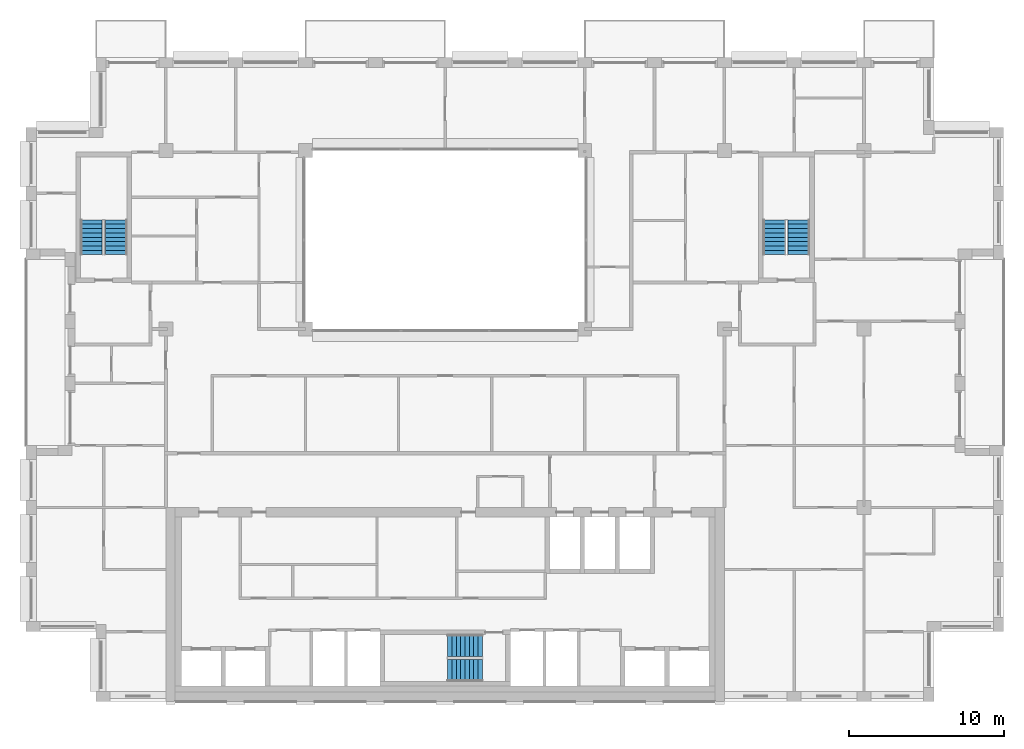
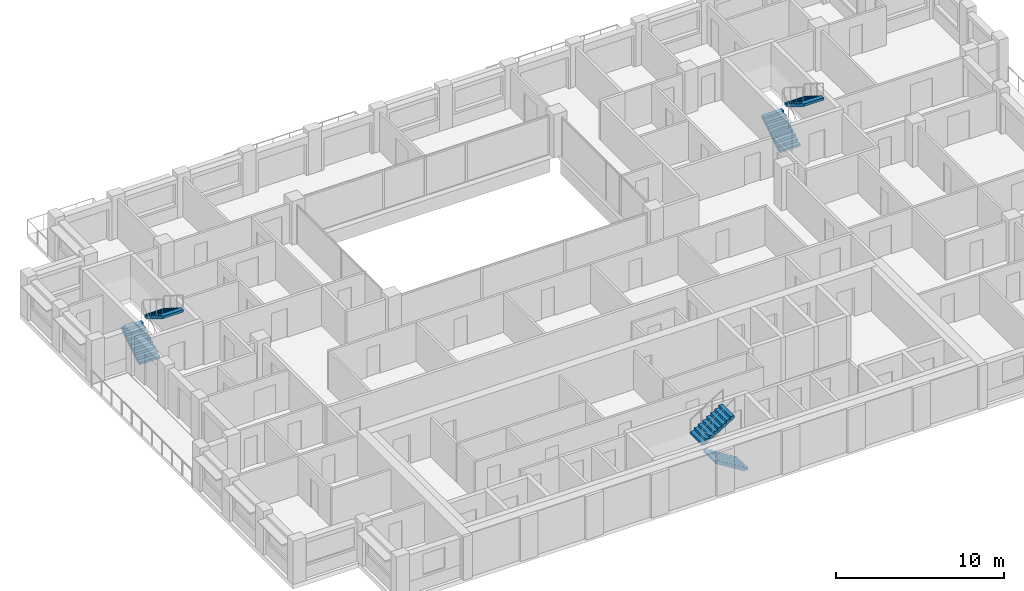
# One storey, part 15 of 16: 6 stair flights, 3 elements without a shape of their own.
"""IFC4 building model written with IfcOpenShell, lengths in metres."""

from ifc_helpers import new_model, si_unit, direction, frame, origin, place, context, subcontext, project, spatial, polyline, outline, extrude, material, type_object, element, aggregate, save


model = new_model("IFC4")

# Units and contexts
model_context = context("Model", 3, precision=1e-05, world=origin(), true_north=direction((0.0, 1.0)))
body_context = subcontext(model_context, "Body", "Model", "MODEL_VIEW")
ifc_project = project(units=[si_unit("LENGTHUNIT", "METRE"), si_unit("AREAUNIT", "SQUARE_METRE"), si_unit("VOLUMEUNIT", "CUBIC_METRE"), si_unit("PLANEANGLEUNIT", "RADIAN"), si_unit("MASSUNIT", "GRAM", prefix="KILO")], contexts=[model_context])

# Site, building, storey
site_placement = place(None, origin())
site = spatial("IfcSite", under=ifc_project, at=site_placement, CompositionType="ELEMENT")
building_placement = place(site_placement, origin())
building = spatial("IfcBuilding", under=site, at=building_placement, Name="Brigalow Station Residences", CompositionType="ELEMENT")
storey_placement = place(building_placement, frame((0.0, 0.0, 204.300048828125)))
storey = spatial("IfcBuildingStorey", under=building, at=storey_placement, Name="L58", CompositionType="ELEMENT", Elevation=204.300048828125)

# Stair, stair flights
ifc_material_1 = material(Name="Concrete C50", Category="concrete")
stair_type = type_object("IfcStairType", Name="EXIT STAIR 1400 2 FLIGHT", PredefinedType="HALF_TURN_STAIR", material=ifc_material_1)
stair_1_placement = place(storey_placement, origin())
stair_1 = element("IfcStair", 1, at=stair_1_placement, inside=storey, type_object=stair_type, Name="EXIT STAIR S2 L58", PredefinedType="HALF_TURN_STAIR")
ifc_material_2 = material(Name="Concrete C50", Category="concrete")
stair_flight_type = type_object("IfcStairFlightType", Name="STAIR FLIGHT 1400", PredefinedType="STRAIGHT", material=ifc_material_2)
stair_flight_1_placement = place(storey_placement, frame((38.39990234375, 2.0, 0.0), z_axis=(0.0, 0.0, 1.0), x_axis=(-1.0, 0.0, 0.0)))
stair_flight_1 = element("IfcStairFlight", 2, at=stair_flight_1_placement, type_object=stair_flight_type, Name="ST-2 flight 1", NumberOfRisers=9, NumberOfTreads=8, PredefinedType="STRAIGHT", RiserHeight=0.175, TreadLength=0.28, context=body_context, shape_type="SweptSolid", body=[
    extrude(outline(polyline([(0.0, 0.0), (0.0, 0.175048828125), (0.280029296875, 0.175048828125), (0.280029296875, 0.35009765625), (0.56005859375, 0.35009765625), (0.56005859375, 0.52490234375), (0.840087890625, 0.52490234375), (0.840087890625, 0.699951171875), (1.1201171875, 0.699951171875), (1.1201171875, 0.875), (1.39990234375, 0.875), (1.39990234375, 1.050048828125), (1.679931640625, 1.050048828125), (1.679931640625, 1.22509765625), (1.9599609375, 1.22509765625), (1.9599609375, 1.39990234375), (2.239990234375, 1.39990234375), (2.239990234375, 1.574951171875), (2.239990234375, 1.22314453125), (0.28271484375, 0.0), (0.0, 0.0)])), frame((0.0, 0.699951171875, 0.0), z_axis=(0.0, -1.0, 0.0), x_axis=(1.0, 0.0, 0.0)), (0.0, 0.0, 1.0), 1.39990234375),
])
stair_flight_2_placement = place(storey_placement, frame((36.159912109375, 3.60009765625, 1.574951171875), z_axis=(0.0, 0.0, 1.0), x_axis=(1.0, 0.0, 0.0)))
stair_flight_2 = element("IfcStairFlight", 3, at=stair_flight_2_placement, type_object=stair_flight_type, Name="ST-2 flight 2", NumberOfRisers=9, NumberOfTreads=8, PredefinedType="STRAIGHT", RiserHeight=0.175, TreadLength=0.28, context=body_context, shape_type="SweptSolid", body=[
    extrude(outline(polyline([(0.0, 0.0), (0.0, 0.175048828125), (0.280029296875, 0.175048828125), (0.280029296875, 0.35009765625), (0.56005859375, 0.35009765625), (0.56005859375, 0.52490234375), (0.840087890625, 0.52490234375), (0.840087890625, 0.699951171875), (1.1201171875, 0.699951171875), (1.1201171875, 0.875), (1.39990234375, 0.875), (1.39990234375, 1.050048828125), (1.679931640625, 1.050048828125), (1.679931640625, 1.22509765625), (1.9599609375, 1.22509765625), (1.9599609375, 1.39990234375), (2.239990234375, 1.39990234375), (2.239990234375, 1.574951171875), (2.239990234375, 1.22314453125), (0.28271484375, 0.0), (0.0, 0.0)])), frame((0.0, 0.699951171875, 0.0), z_axis=(0.0, -1.0, 0.0), x_axis=(1.0, 0.0, 0.0)), (0.0, 0.0, 1.0), 1.39990234375),
])
aggregate(stair_1, [stair_flight_1, stair_flight_2])

stair_2_placement = place(storey_placement, origin())
stair_2 = element("IfcStair", 4, at=stair_2_placement, inside=storey, type_object=stair_type, Name="EXIT STAIR S1 L58", PredefinedType="HALF_TURN_STAIR")
stair_flight_3_placement = place(storey_placement, frame((13.199951171875, 28.800048828125, 0.0), z_axis=(0.0, 0.0, 1.0), x_axis=(0.0, 1.0, 0.0)))
stair_flight_3 = element("IfcStairFlight", 5, at=stair_flight_3_placement, type_object=stair_flight_type, Name="ST-1 flight 1", NumberOfRisers=9, NumberOfTreads=8, PredefinedType="STRAIGHT", RiserHeight=0.175, TreadLength=0.28, context=body_context, shape_type="SweptSolid", body=[
    extrude(outline(polyline([(0.0, 0.0), (0.0, 0.175048828125), (0.280029296875, 0.175048828125), (0.280029296875, 0.35009765625), (0.56005859375, 0.35009765625), (0.56005859375, 0.52490234375), (0.840087890625, 0.52490234375), (0.840087890625, 0.699951171875), (1.1201171875, 0.699951171875), (1.1201171875, 0.875), (1.39990234375, 0.875), (1.39990234375, 1.050048828125), (1.679931640625, 1.050048828125), (1.679931640625, 1.22509765625), (1.9599609375, 1.22509765625), (1.9599609375, 1.39990234375), (2.239990234375, 1.39990234375), (2.239990234375, 1.574951171875), (2.239990234375, 1.22314453125), (0.28271484375, 0.0), (0.0, 0.0)])), frame((0.0, 0.699951171875, 0.0), z_axis=(0.0, -1.0, 0.0), x_axis=(1.0, 0.0, 0.0)), (0.0, 0.0, 1.0), 1.39990234375),
])
stair_flight_4_placement = place(storey_placement, frame((14.800048828125, 31.0400390625, 1.574951171875), z_axis=(0.0, 0.0, 1.0), x_axis=(0.0, -1.0, 0.0)))
stair_flight_4 = element("IfcStairFlight", 6, at=stair_flight_4_placement, type_object=stair_flight_type, Name="ST-1 flight 2", NumberOfRisers=9, NumberOfTreads=8, PredefinedType="STRAIGHT", RiserHeight=0.175, TreadLength=0.28, context=body_context, shape_type="SweptSolid", body=[
    extrude(outline(polyline([(0.0, 0.0), (0.0, 0.175048828125), (0.280029296875, 0.175048828125), (0.280029296875, 0.35009765625), (0.56005859375, 0.35009765625), (0.56005859375, 0.52490234375), (0.840087890625, 0.52490234375), (0.840087890625, 0.699951171875), (1.1201171875, 0.699951171875), (1.1201171875, 0.875), (1.39990234375, 0.875), (1.39990234375, 1.050048828125), (1.679931640625, 1.050048828125), (1.679931640625, 1.22509765625), (1.9599609375, 1.22509765625), (1.9599609375, 1.39990234375), (2.239990234375, 1.39990234375), (2.239990234375, 1.574951171875), (2.239990234375, 1.22314453125), (0.28271484375, 0.0), (0.0, 0.0)])), frame((0.0, 0.699951171875, 0.0), z_axis=(0.0, -1.0, 0.0), x_axis=(1.0, 0.0, 0.0)), (0.0, 0.0, 1.0), 1.39990234375),
])
aggregate(stair_2, [stair_flight_3, stair_flight_4])

stair_3_placement = place(storey_placement, origin())
stair_3 = element("IfcStair", 7, at=stair_3_placement, inside=storey, type_object=stair_type, Name="EXIT STAIR S3 L58", PredefinedType="HALF_TURN_STAIR")
stair_flight_5_placement = place(storey_placement, frame((57.199951171875, 28.800048828125, 0.0), z_axis=(0.0, 0.0, 1.0), x_axis=(0.0, 1.0, 0.0)))
stair_flight_5 = element("IfcStairFlight", 8, at=stair_flight_5_placement, type_object=stair_flight_type, Name="ST-3 flight 1", NumberOfRisers=9, NumberOfTreads=8, PredefinedType="STRAIGHT", RiserHeight=0.175, TreadLength=0.28, context=body_context, shape_type="SweptSolid", body=[
    extrude(outline(polyline([(0.0, 0.0), (0.0, 0.175048828125), (0.280029296875, 0.175048828125), (0.280029296875, 0.35009765625), (0.56005859375, 0.35009765625), (0.56005859375, 0.52490234375), (0.840087890625, 0.52490234375), (0.840087890625, 0.699951171875), (1.1201171875, 0.699951171875), (1.1201171875, 0.875), (1.39990234375, 0.875), (1.39990234375, 1.050048828125), (1.679931640625, 1.050048828125), (1.679931640625, 1.22509765625), (1.9599609375, 1.22509765625), (1.9599609375, 1.39990234375), (2.239990234375, 1.39990234375), (2.239990234375, 1.574951171875), (2.239990234375, 1.22314453125), (0.28271484375, 0.0), (0.0, 0.0)])), frame((0.0, 0.699951171875, 0.0), z_axis=(0.0, -1.0, 0.0), x_axis=(1.0, 0.0, 0.0)), (0.0, 0.0, 1.0), 1.39990234375),
])
stair_flight_6_placement = place(storey_placement, frame((58.800048828125, 31.0400390625, 1.574951171875), z_axis=(0.0, 0.0, 1.0), x_axis=(0.0, -1.0, 0.0)))
stair_flight_6 = element("IfcStairFlight", 9, at=stair_flight_6_placement, type_object=stair_flight_type, Name="ST-3 flight 2", NumberOfRisers=9, NumberOfTreads=8, PredefinedType="STRAIGHT", RiserHeight=0.175, TreadLength=0.28, context=body_context, shape_type="SweptSolid", body=[
    extrude(outline(polyline([(0.0, 0.0), (0.0, 0.175048828125), (0.280029296875, 0.175048828125), (0.280029296875, 0.35009765625), (0.56005859375, 0.35009765625), (0.56005859375, 0.52490234375), (0.840087890625, 0.52490234375), (0.840087890625, 0.699951171875), (1.1201171875, 0.699951171875), (1.1201171875, 0.875), (1.39990234375, 0.875), (1.39990234375, 1.050048828125), (1.679931640625, 1.050048828125), (1.679931640625, 1.22509765625), (1.9599609375, 1.22509765625), (1.9599609375, 1.39990234375), (2.239990234375, 1.39990234375), (2.239990234375, 1.574951171875), (2.239990234375, 1.22314453125), (0.28271484375, 0.0), (0.0, 0.0)])), frame((0.0, 0.699951171875, 0.0), z_axis=(0.0, -1.0, 0.0), x_axis=(1.0, 0.0, 0.0)), (0.0, 0.0, 1.0), 1.39990234375),
])
aggregate(stair_3, [stair_flight_5, stair_flight_6])

save(model, "model.ifc")
